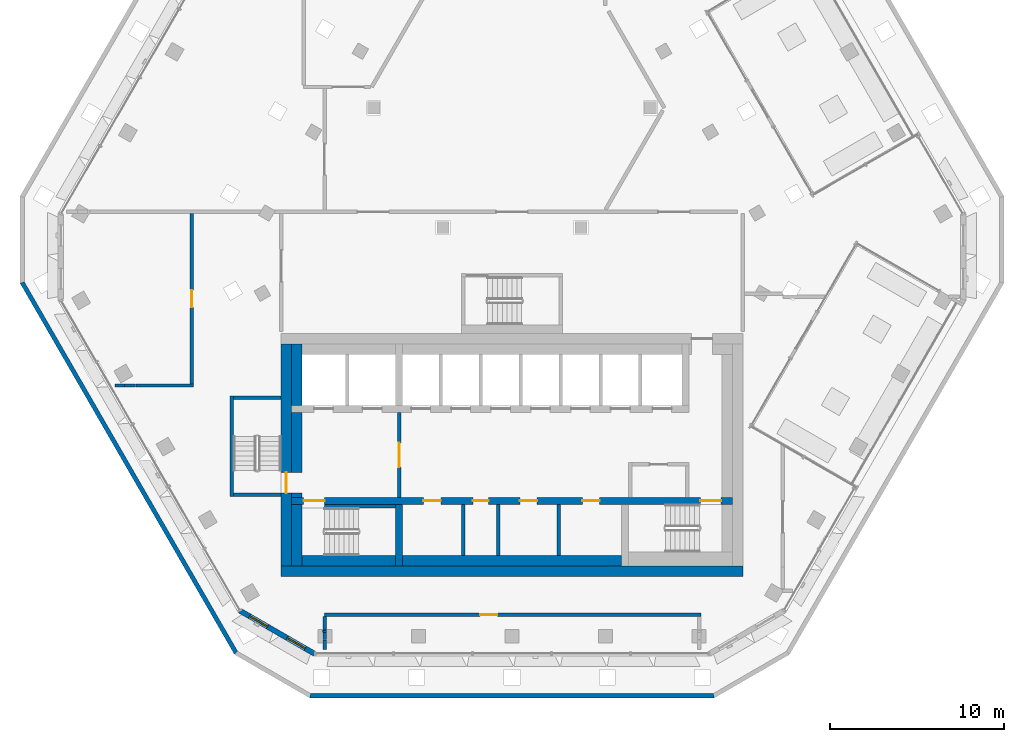
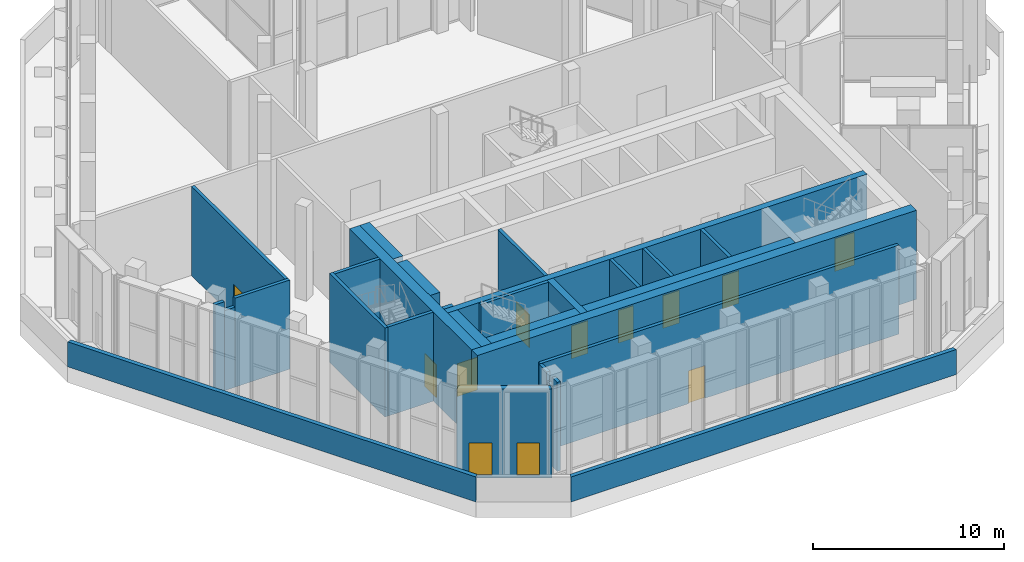
# One storey, part 8 of 23: 30 walls, 10 doors, 2 windows, 12 openings.
"""IFC4 building model written with IfcOpenShell, lengths in metres."""

from ifc_helpers import new_model, si_unit, direction, frame, frame_2d, origin, place, context, subcontext, project, spatial, polyline, rectangle, outline, extrude, material, layer, layer_set, type_object, element, fill, save


model = new_model("IFC4")

# Units and contexts
model_context = context("Model", 3, precision=1e-05, world=origin(), true_north=direction((0.0, 1.0)))
body_context = subcontext(model_context, "Body", "Model", "MODEL_VIEW")
ifc_project = project(units=[si_unit("LENGTHUNIT", "METRE"), si_unit("AREAUNIT", "SQUARE_METRE"), si_unit("VOLUMEUNIT", "CUBIC_METRE"), si_unit("PLANEANGLEUNIT", "RADIAN"), si_unit("MASSUNIT", "GRAM", prefix="KILO")], contexts=[model_context])

# Site, building, storey
site_placement = place(None, origin())
site = spatial("IfcSite", under=ifc_project, at=site_placement, CompositionType="ELEMENT")
building_placement = place(site_placement, origin())
building = spatial("IfcBuilding", under=site, at=building_placement, Name="Beryl Residences", CompositionType="ELEMENT")
storey_placement = place(building_placement, frame((0.0, 0.0, 157.199951171875)))
storey = spatial("IfcBuildingStorey", under=building, at=storey_placement, Name="L48", CompositionType="ELEMENT", Elevation=157.199951171875)

# Wall, openings, windows
ifc_material_1 = material(Name="Composite metal panel with mineral wool insulation")
ifc_layer_1 = layer(ifc_material_1, 0.300048828125)
ifc_layer_set_1 = layer_set([ifc_layer_1], Name="ES1 pale metal composite panel wall 300 mm")
wall_type_1 = type_object("IfcWallType", Name="ES1 pale metal composite panel wall 300 mm", PredefinedType="SOLIDWALL", material=ifc_layer_set_1)
wall_1_placement = place(storey_placement, frame((-15.68603515625, -20.969970703125, 0.0), z_axis=(0.0, 0.0, 1.0), x_axis=(0.866022959057, -0.500004234368, 0.0)))
wall_1 = element("IfcWall", 1, at=wall_1_placement, inside=storey, type_object=wall_type_1, Name="ES1 external wall L48 SW-S", PredefinedType="SOLIDWALL", context=body_context, shape_type="SweptSolid", body=[
    extrude(outline(polyline([(0.0, -0.14990234375), (5.0, -0.14990234375), (4.919677734375, 0.14990234375), (0.080322265625, 0.14990234375), (0.0, -0.14990234375)])), origin(), (0.0, 0.0, 1.0), 5.699951171875),
])
opening_1_placement = place(wall_1_placement, frame((0.64990234375, 0.0, 0.14990234375)))
opening_1 = element("IfcOpeningElement", 2, at=opening_1_placement, cuts=wall_1, Name="Opening W2", PredefinedType="OPENING", context=body_context, shape_type="SweptSolid", body=[
    extrude(rectangle(XDim=1.199951171875, YDim=2.10009765625, at=frame_2d((0.60009765625, 1.050048828125))), frame((0.0, 0.159912109375, 0.0), z_axis=(0.0, -1.0, 0.0), x_axis=(1.0, 0.0, 0.0)), (0.0, 0.0, 1.0), 0.320068359375),
])
opening_2_placement = place(wall_1_placement, frame((3.14990234375, 0.0, 0.14990234375)))
opening_2 = element("IfcOpeningElement", 3, at=opening_2_placement, cuts=wall_1, Name="Opening W2", PredefinedType="OPENING", context=body_context, shape_type="SweptSolid", body=[
    extrude(rectangle(XDim=1.199951171875, YDim=2.10009765625, at=frame_2d((0.60009765625, 1.050048828125))), frame((0.0, 0.159912109375, 0.0), z_axis=(0.0, -1.0, 0.0), x_axis=(1.0, 0.0, 0.0)), (0.0, 0.0, 1.0), 0.320068359375),
])
ifc_material_2 = material(Name="Aluminium and clear glass", Category="aluminium")
window_type = type_object("IfcWindowType", Name="W2 chamfer window 1200 x 2100 mm", PartitioningType="SINGLE_PANEL", PredefinedType="WINDOW", material=ifc_material_2)
window_1_placement = place(opening_1_placement, origin())
window_1 = element("IfcWindow", 4, at=window_1_placement, inside=storey, type_object=window_type, Name="W2 window L48 SW-S 1", OverallHeight=2.10009765625, OverallWidth=1.199951171875, PartitioningType="SINGLE_PANEL", PredefinedType="WINDOW", context=body_context, shape_type="SweptSolid", body=[
    extrude(rectangle(XDim=1.199951171875, YDim=2.10009765625, at=frame_2d((0.60009765625, 1.050048828125))), frame((0.0, 0.030029296875, 0.0), z_axis=(0.0, -1.0, 0.0), x_axis=(1.0, 0.0, 0.0)), (0.0, 0.0, 1.0), 0.06005859375),
])
fill(opening_1, window_1)
window_2_placement = place(opening_2_placement, origin())
window_2 = element("IfcWindow", 5, at=window_2_placement, inside=storey, type_object=window_type, Name="W2 window L48 SW-S 2", OverallHeight=2.10009765625, OverallWidth=1.199951171875, PartitioningType="SINGLE_PANEL", PredefinedType="WINDOW", context=body_context, shape_type="SweptSolid", body=[
    extrude(rectangle(XDim=1.199951171875, YDim=2.10009765625, at=frame_2d((0.60009765625, 1.050048828125))), frame((0.0, 0.030029296875, 0.0), z_axis=(0.0, -1.0, 0.0), x_axis=(1.0, 0.0, 0.0)), (0.0, 0.0, 1.0), 0.06005859375),
])
fill(opening_2, window_2)

# Walls
ifc_material_3 = material(Name="Precast concrete C40/50", Category="concrete")
ifc_layer_2 = layer(ifc_material_3, 0.25)
ifc_layer_set_2 = layer_set([ifc_layer_2], Name="PA1 roof parapet 250 mm")
wall_type_2 = type_object("IfcWallType", Name="PA1 roof parapet 250 mm", PredefinedType="PARAPET", material=ifc_layer_set_2)
wall_2_placement = place(storey_placement, frame((11.6630859375, -25.875, 0.0), z_axis=(0.0, 0.0, 1.0), x_axis=(-1.0, 0.0, 0.0)))
element("IfcWall", 6, at=wall_2_placement, inside=storey, type_object=wall_type_2, Name="PA1 parapet L48 strip 6", PredefinedType="PARAPET", context=body_context, shape_type="SweptSolid", body=[
    extrude(outline(polyline([(0.06689453125, -0.125), (23.25927734375, -0.125), (23.326171875, 0.125), (0.0, 0.125), (0.06689453125, -0.125)])), origin(), (0.0, 0.0, 1.0), 1.60009765625),
])
wall_3_placement = place(storey_placement, frame((-15.883056640625, -23.43701171875, 0.0), z_axis=(0.0, 0.0, 1.0), x_axis=(-0.500068533128, 0.865985832549, 0.0)))
element("IfcWall", 7, at=wall_3_placement, inside=storey, type_object=wall_type_2, Name="PA1 parapet L48 strip 8", PredefinedType="PARAPET", context=body_context, shape_type="SweptSolid", body=[
    extrude(outline(polyline([(0.06689453125, -0.125), (24.6435546875, -0.125), (24.71044921875, 0.125), (0.0, 0.125), (0.06689453125, -0.125)])), origin(), (0.0, 0.0, 1.0), 1.60009765625),
])

# Wall, opening, door
ifc_material_4 = material(Name="Concrete masonry", Category="masonry")
ifc_layer_3 = layer(ifc_material_4, 0.199951171875)
ifc_layer_set_3 = layer_set([ifc_layer_3], Name="PT13 lobby wall 200 mm")
wall_type_3 = type_object("IfcWallType", Name="PT13 lobby wall 200 mm", PredefinedType="PARTITIONING", material=ifc_layer_set_3)
wall_4_placement = place(storey_placement, frame((-6.5, -14.449951171875, 0.0), z_axis=(0.0, 0.0, 1.0), x_axis=(0.0, 1.0, 0.0)))
wall_4 = element("IfcWall", 8, at=wall_4_placement, inside=storey, type_object=wall_type_3, Name="Lobby wall 12", PredefinedType="PARTITIONING", context=body_context, shape_type="SweptSolid", body=[
    extrude(rectangle(XDim=4.89990234375, YDim=0.199951171875, at=frame_2d((2.449951171875, 0.0))), origin(), (0.0, 0.0, 1.0), 5.699951171875),
])
opening_3_placement = place(wall_4_placement, frame((3.14990234375, 0.0, 0.0), z_axis=(0.0, 0.0, 1.0), x_axis=(-1.0, 0.0, 0.0)))
opening_3 = element("IfcOpeningElement", 9, at=opening_3_placement, cuts=wall_4, Name="Opening FD-FFL", PredefinedType="OPENING", context=body_context, shape_type="SweptSolid", body=[
    extrude(rectangle(XDim=1.39990234375, YDim=2.10009765625, at=frame_2d((0.699951171875, 1.050048828125))), frame((0.0, 0.10986328125, 0.0), z_axis=(0.0, -1.0, 0.0), x_axis=(1.0, 0.0, 0.0)), (0.0, 0.0, 1.0), 0.219970703125),
])
ifc_material_5 = material(Name="Steel door leaf in steel frame", Category="steel")
door_type_1 = type_object("IfcDoorType", Name="D5 lobby door 1400 x 2100 mm", OperationType="DOUBLE_DOOR_SINGLE_SWING", PredefinedType="DOOR", material=ifc_material_5)
door_1_placement = place(opening_3_placement, origin())
door_1 = element("IfcDoor", 10, at=door_1_placement, inside=storey, type_object=door_type_1, Name="Door FD-FFL L48 001", OperationType="DOUBLE_DOOR_SINGLE_SWING", OverallHeight=2.10009765625, OverallWidth=1.39990234375, PredefinedType="DOOR", context=body_context, shape_type="SweptSolid", body=[
    extrude(rectangle(XDim=1.39990234375, YDim=2.10009765625, at=frame_2d((0.699951171875, 1.050048828125))), frame((0.0, 0.02490234375, 0.0), z_axis=(0.0, -1.0, 0.0), x_axis=(1.0, 0.0, 0.0)), (0.0, 0.0, 1.0), 0.050048828125),
])
fill(opening_3, door_1)

# Walls
ifc_material_6 = material(Name="Concrete masonry", Category="masonry")
ifc_layer_4 = layer(ifc_material_6, 0.25)
ifc_layer_set_4 = layer_set([ifc_layer_4], Name="PT13-250 lobby wall 250 mm")
wall_type_4 = type_object("IfcWallType", Name="PT13-250 lobby wall 250 mm", PredefinedType="PARTITIONING", material=ifc_layer_set_4)
wall_5_placement = place(storey_placement, frame((-12.699951171875, -14.324951171875, 0.0), z_axis=(0.0, 0.0, 1.0), x_axis=(1.0, 0.0, 0.0)))
element("IfcWall", 11, at=wall_5_placement, inside=storey, type_object=wall_type_4, Name="Lobby wall 05", PredefinedType="PARTITIONING", context=body_context, shape_type="SweptSolid", body=[
    extrude(rectangle(XDim=0.599853515625, YDim=0.25, at=frame_2d((0.2998046875, 0.0))), origin(), (0.0, 0.0, 1.0), 5.699951171875),
])
ifc_material_7 = material(Name="Concrete masonry", Category="masonry")
ifc_layer_5 = layer(ifc_material_7, 0.60009765625)
ifc_layer_set_5 = layer_set([ifc_layer_5], Name="PT13-600 lobby wall 600 mm")
wall_type_5 = type_object("IfcWallType", Name="PT13-600 lobby wall 600 mm", PredefinedType="PARTITIONING", material=ifc_layer_set_5)
wall_6_placement = place(storey_placement, frame((-12.39990234375, -13.0, 0.0), z_axis=(0.0, 0.0, 1.0), x_axis=(0.0, 1.0, 0.0)))
element("IfcWall", 12, at=wall_6_placement, inside=storey, type_object=wall_type_5, Name="Lobby wall 06", PredefinedType="PARTITIONING", context=body_context, shape_type="SweptSolid", body=[
    extrude(rectangle(XDim=3.449951171875, YDim=0.60009765625, at=frame_2d((1.72509765625, 0.0))), origin(), (0.0, 0.0, 1.0), 5.699951171875),
])

# Wall, opening, door
ifc_material_8 = material(Name="Double stud gypsum board wall")
ifc_layer_6 = layer(ifc_material_8, 0.199951171875)
ifc_layer_set_6 = layer_set([ifc_layer_6], Name="PT4 corridor wall 200 mm double stud")
wall_type_6 = type_object("IfcWallType", Name="PT4 corridor wall 200 mm double stud", PredefinedType="PARTITIONING", material=ifc_layer_set_6)
wall_7_placement = place(storey_placement, frame((-10.800048828125, -21.199951171875, 0.0), z_axis=(0.0, 0.0, 1.0), x_axis=(1.0, 0.0, 0.0)))
wall_7 = element("IfcWall", 13, at=wall_7_placement, inside=storey, type_object=wall_type_6, Name="Wall PT4 L48 001", PredefinedType="PARTITIONING", context=body_context, shape_type="SweptSolid", body=[
    extrude(rectangle(XDim=21.699951171875, YDim=0.199951171875, at=frame_2d((10.85009765625, 0.0))), origin(), (0.0, 0.0, 1.0), 5.699951171875),
])
opening_4_placement = place(wall_7_placement, frame((9.958984375, 0.0, 0.0), z_axis=(0.0, 0.0, 1.0), x_axis=(-1.0, 0.0, 0.0)))
opening_4 = element("IfcOpeningElement", 14, at=opening_4_placement, cuts=wall_7, Name="Opening L48-04", PredefinedType="OPENING", context=body_context, shape_type="SweptSolid", body=[
    extrude(rectangle(XDim=1.0, YDim=2.10009765625, at=frame_2d((0.5, 1.050048828125))), frame((0.0, 0.10986328125, 0.0), z_axis=(0.0, -1.0, 0.0), x_axis=(1.0, 0.0, 0.0)), (0.0, 0.0, 1.0), 0.219970703125),
])
ifc_material_9 = material(Name="Timber door leaf", Category="wood")
door_type_2 = type_object("IfcDoorType", Name="D9 corridor door 1000 x 2100 mm", OperationType="SINGLE_SWING_LEFT", PredefinedType="DOOR", material=ifc_material_9)
door_2_placement = place(opening_4_placement, origin())
door_2 = element("IfcDoor", 15, at=door_2_placement, inside=storey, type_object=door_type_2, Name="Door L48-04 L48 001", OperationType="SINGLE_SWING_LEFT", OverallHeight=2.10009765625, OverallWidth=1.0, PredefinedType="DOOR", context=body_context, shape_type="SweptSolid", body=[
    extrude(rectangle(XDim=1.0, YDim=2.10009765625, at=frame_2d((0.5, 1.050048828125))), frame((0.0, 0.02490234375, 0.0), z_axis=(0.0, -1.0, 0.0), x_axis=(1.0, 0.0, 0.0)), (0.0, 0.0, 1.0), 0.050048828125),
])
fill(opening_4, door_2)

# Walls
wall_8_placement = place(storey_placement, frame((-22.885986328125, -8.0, 0.0), z_axis=(0.0, 0.0, 1.0), x_axis=(1.0, 0.0, 0.0)))
element("IfcWall", 16, at=wall_8_placement, inside=storey, type_object=wall_type_6, Name="Wall PT4 L48 003", PredefinedType="PARTITIONING", context=body_context, shape_type="SweptSolid", body=[
    extrude(rectangle(XDim=0.572021484375, YDim=0.199951171875, at=frame_2d((0.2861328125, 0.0))), origin(), (0.0, 0.0, 1.0), 5.699951171875),
])
wall_9_placement = place(storey_placement, frame((-22.31396484375, -8.0, 0.0), z_axis=(0.0, 0.0, 1.0), x_axis=(1.0, 0.0, 0.0)))
element("IfcWall", 17, at=wall_9_placement, inside=storey, type_object=wall_type_6, Name="Wall PT4 L48 004", PredefinedType="PARTITIONING", context=body_context, shape_type="SweptSolid", body=[
    extrude(rectangle(XDim=0.635009765625, YDim=0.199951171875, at=frame_2d((0.3173828125, 0.0))), origin(), (0.0, 0.0, 1.0), 5.1201171875),
])
wall_10_placement = place(storey_placement, frame((-21.678955078125, -8.0, 0.0), z_axis=(0.0, 0.0, 1.0), x_axis=(1.0, 0.0, 0.0)))
element("IfcWall", 18, at=wall_10_placement, inside=storey, type_object=wall_type_6, Name="Wall PT4 L48 005", PredefinedType="PARTITIONING", context=body_context, shape_type="SweptSolid", body=[
    extrude(rectangle(XDim=3.328857421875, YDim=0.199951171875, at=frame_2d((1.66455078125, 0.0))), origin(), (0.0, 0.0, 1.0), 5.699951171875),
])

# Wall, opening, door
wall_11_placement = place(storey_placement, frame((-18.449951171875, -7.89990234375, 0.0), z_axis=(0.0, 0.0, 1.0), x_axis=(0.0, 1.0, 0.0)))
wall_11 = element("IfcWall", 19, at=wall_11_placement, inside=storey, type_object=wall_type_6, Name="Wall PT4 L48 017", PredefinedType="PARTITIONING", context=body_context, shape_type="SweptSolid", body=[
    extrude(rectangle(XDim=9.7998046875, YDim=0.199951171875, at=frame_2d((4.89990234375, 0.0))), origin(), (0.0, 0.0, 1.0), 5.699951171875),
])
opening_5_placement = place(wall_11_placement, frame((4.39990234375, 0.0, 0.0)))
opening_5 = element("IfcOpeningElement", 20, at=opening_5_placement, cuts=wall_11, Name="Opening L48-05", PredefinedType="OPENING", context=body_context, shape_type="SweptSolid", body=[
    extrude(rectangle(XDim=1.0, YDim=2.10009765625, at=frame_2d((0.5, 1.050048828125))), frame((0.0, 0.10986328125, 0.0), z_axis=(0.0, -1.0, 0.0), x_axis=(1.0, 0.0, 0.0)), (0.0, 0.0, 1.0), 0.219970703125),
])
door_3_placement = place(opening_5_placement, origin())
door_3 = element("IfcDoor", 21, at=door_3_placement, inside=storey, type_object=door_type_2, Name="Door L48-05 L48 001", OperationType="SINGLE_SWING_LEFT", OverallHeight=2.10009765625, OverallWidth=1.0, PredefinedType="DOOR", context=body_context, shape_type="SweptSolid", body=[
    extrude(rectangle(XDim=1.0, YDim=2.10009765625, at=frame_2d((0.5, 1.050048828125))), frame((0.0, 0.02490234375, 0.0), z_axis=(0.0, -1.0, 0.0), x_axis=(1.0, 0.0, 0.0)), (0.0, 0.0, 1.0), 0.050048828125),
])
fill(opening_5, door_3)

# Walls
wall_12_placement = place(storey_placement, frame((-10.800048828125, -23.219970703125, 0.0), z_axis=(0.0, 0.0, 1.0), x_axis=(0.0, 1.0, 0.0)))
element("IfcWall", 22, at=wall_12_placement, inside=storey, type_object=wall_type_6, Name="Wall PT4 L48 022", PredefinedType="PARTITIONING", context=body_context, shape_type="SweptSolid", body=[
    extrude(rectangle(XDim=0.544921875, YDim=0.199951171875, at=frame_2d((0.2724609375, 0.0))), origin(), (0.0, 0.0, 1.0), 5.699951171875),
])
wall_13_placement = place(storey_placement, frame((-10.800048828125, -22.64501953125, 0.0), z_axis=(0.0, 0.0, 1.0), x_axis=(0.0, 1.0, 0.0)))
element("IfcWall", 23, at=wall_13_placement, inside=storey, type_object=wall_type_6, Name="Wall PT4 L48 023", PredefinedType="PARTITIONING", context=body_context, shape_type="SweptSolid", body=[
    extrude(rectangle(XDim=0.419921875, YDim=0.199951171875, at=frame_2d((0.2099609375, 0.0))), origin(), (0.0, 0.0, 1.0), 5.1201171875),
])
wall_14_placement = place(storey_placement, frame((-10.800048828125, -22.22509765625, 0.0), z_axis=(0.0, 0.0, 1.0), x_axis=(0.0, 1.0, 0.0)))
element("IfcWall", 24, at=wall_14_placement, inside=storey, type_object=wall_type_6, Name="Wall PT4 L48 024", PredefinedType="PARTITIONING", context=body_context, shape_type="SweptSolid", body=[
    extrude(rectangle(XDim=0.112060546875, YDim=0.199951171875, at=frame_2d((0.05615234375, 0.0))), origin(), (0.0, 0.0, 1.0), 5.1201171875),
])
wall_15_placement = place(storey_placement, frame((-10.800048828125, -22.113037109375, 0.0), z_axis=(0.0, 0.0, 1.0), x_axis=(0.0, 1.0, 0.0)))
element("IfcWall", 25, at=wall_15_placement, inside=storey, type_object=wall_type_6, Name="Wall PT4 L48 025", PredefinedType="PARTITIONING", context=body_context, shape_type="SweptSolid", body=[
    extrude(rectangle(XDim=0.81298828125, YDim=0.199951171875, at=frame_2d((0.406494140625, 0.0))), origin(), (0.0, 0.0, 1.0), 5.699951171875),
])
ifc_material_10 = material(Name="Concrete C40/50", Category="concrete")
ifc_layer_7 = layer(ifc_material_10, 0.199951171875)
ifc_layer_set_7 = layer_set([ifc_layer_7], Name="PT5 stair enclosure wall 200 mm reinforced concrete C40/50")
wall_type_7 = type_object("IfcWallType", Name="PT5 stair enclosure wall 200 mm reinforced concrete C40/50", PredefinedType="SOLIDWALL", material=ifc_layer_set_7)
wall_16_placement = place(storey_placement, frame((-16.14990234375, -14.39990234375, 0.0), z_axis=(0.0, 0.0, 1.0), x_axis=(0.0, 1.0, 0.0)))
element("IfcWall", 26, at=wall_16_placement, inside=storey, type_object=wall_type_7, Name="Stair wall 01", PredefinedType="SOLIDWALL", context=body_context, shape_type="SweptSolid", body=[
    extrude(rectangle(XDim=5.7998046875, YDim=0.199951171875, at=frame_2d((2.89990234375, 0.0))), origin(), (0.0, 0.0, 1.0), 5.699951171875),
])
for number, where, z_axis, x_axis, name in (
    (27, (-16.050048828125, -14.300048828125, 0.0), (0.0, 0.0, 1.0), (1.0, 0.0, 0.0), "Stair wall 02"),
    (28, (-16.050048828125, -8.699951171875, 0.0), (0.0, 0.0, 1.0), (1.0, 0.0, 0.0), "Stair wall 03"),
):
    element("IfcWall", number, at=place(storey_placement, frame(where, z_axis=z_axis, x_axis=x_axis)), inside=storey, type_object=wall_type_7, Name=name, PredefinedType="SOLIDWALL", context=body_context, shape_type="SweptSolid", body=[
        extrude(rectangle(XDim=2.75, YDim=0.199951171875, at=frame_2d((1.375, 0.0))), origin(), (0.0, 0.0, 1.0), 5.699951171875),
    ])
wall_17_placement = place(storey_placement, frame((-10.800048828125, -14.949951171875, 0.0), z_axis=(0.0, 0.0, 1.0), x_axis=(1.0, 0.0, 0.0)))
element("IfcWall", 29, at=wall_17_placement, inside=storey, type_object=wall_type_7, Name="Stair wall 10", PredefinedType="SOLIDWALL", context=body_context, shape_type="SweptSolid", body=[
    extrude(rectangle(XDim=4.10009765625, YDim=0.199951171875, at=frame_2d((2.050048828125, 0.0))), origin(), (0.0, 0.0, 1.0), 5.699951171875),
])
ifc_material_11 = material(Name="Concrete C40/50", Category="concrete")
ifc_layer_8 = layer(ifc_material_11, 0.60009765625)
ifc_layer_set_8 = layer_set([ifc_layer_8], Name="PT5-600 stair enclosure wall 600 mm")
wall_type_8 = type_object("IfcWallType", Name="PT5-600 stair enclosure wall 600 mm", PredefinedType="SOLIDWALL", material=ifc_layer_set_8)
wall_18_placement = place(storey_placement, frame((-12.39990234375, -18.39990234375, 0.0), z_axis=(0.0, 0.0, 1.0), x_axis=(0.0, 1.0, 0.0)))
element("IfcWall", 30, at=wall_18_placement, inside=storey, type_object=wall_type_8, Name="Stair wall 04", PredefinedType="SOLIDWALL", context=body_context, shape_type="SweptSolid", body=[
    extrude(rectangle(XDim=3.5498046875, YDim=0.60009765625, at=frame_2d((1.77490234375, 0.0))), origin(), (0.0, 0.0, 1.0), 5.699951171875),
])
wall_19_placement = place(storey_placement, frame((-12.10009765625, -18.10009765625, 0.0), z_axis=(0.0, 0.0, 1.0), x_axis=(1.0, 0.0, 0.0)))
element("IfcWall", 31, at=wall_19_placement, inside=storey, type_object=wall_type_8, Name="Stair wall 08", PredefinedType="SOLIDWALL", context=body_context, shape_type="SweptSolid", body=[
    extrude(rectangle(XDim=5.400146484375, YDim=0.60009765625, at=frame_2d((2.7001953125, 0.0))), origin(), (0.0, 0.0, 1.0), 5.699951171875),
])
ifc_material_12 = material(Name="Concrete C40/50", Category="concrete")
ifc_layer_9 = layer(ifc_material_12, 0.60009765625)
ifc_layer_set_9 = layer_set([ifc_layer_9], Name="PT6-600 lift shaft wall 600 mm")
wall_type_9 = type_object("IfcWallType", Name="PT6-600 lift shaft wall 600 mm", PredefinedType="SOLIDWALL", material=ifc_layer_set_9)
wall_20_placement = place(storey_placement, frame((-12.39990234375, -9.14990234375, 0.0), z_axis=(0.0, 0.0, 1.0), x_axis=(0.0, 1.0, 0.0)))
element("IfcWall", 32, at=wall_20_placement, inside=storey, type_object=wall_type_9, Name="Lift shaft wall 07", PredefinedType="SOLIDWALL", context=body_context, shape_type="SweptSolid", body=[
    extrude(rectangle(XDim=3.5498046875, YDim=0.60009765625, at=frame_2d((1.77490234375, 0.0))), origin(), (0.0, 0.0, 1.0), 5.699951171875),
])
ifc_material_13 = material(Name="Concrete masonry", Category="masonry")
ifc_layer_10 = layer(ifc_material_13, 0.199951171875)
ifc_layer_set_10 = layer_set([ifc_layer_10], Name="PT8-200 service room wall 200 mm")
wall_type_10 = type_object("IfcWallType", Name="PT8-200 service room wall 200 mm", PredefinedType="PARTITIONING", material=ifc_layer_set_10)
for number, where, z_axis, x_axis, name in (
    (33, (-2.800048828125, -17.800048828125, 0.0), (0.0, 0.0, 1.0), (0.0, 1.0, 0.0), "Core room wall 16"),
    (34, (-0.800048828125, -17.800048828125, 0.0), (0.0, 0.0, 1.0), (0.0, 1.0, 0.0), "Core room wall 18"),
    (35, (2.699951171875, -17.800048828125, 0.0), (0.0, 0.0, 1.0), (0.0, 1.0, 0.0), "Core room wall 20"),
):
    element("IfcWall", number, at=place(storey_placement, frame(where, z_axis=z_axis, x_axis=x_axis)), inside=storey, type_object=wall_type_10, Name=name, PredefinedType="PARTITIONING", context=body_context, shape_type="SweptSolid", body=[
        extrude(rectangle(XDim=2.949951171875, YDim=0.199951171875, at=frame_2d((1.47509765625, 0.0))), origin(), (0.0, 0.0, 1.0), 5.699951171875),
    ])
ifc_material_14 = material(Name="Concrete masonry", Category="masonry")
ifc_layer_11 = layer(ifc_material_14, 0.60009765625)
ifc_layer_set_11 = layer_set([ifc_layer_11], Name="PT8-600 service room wall 600 mm")
wall_type_11 = type_object("IfcWallType", Name="PT8-600 service room wall 600 mm", PredefinedType="PARTITIONING", material=ifc_layer_set_11)
wall_21_placement = place(storey_placement, frame((-6.300048828125, -18.10009765625, 0.0), z_axis=(0.0, 0.0, 1.0), x_axis=(1.0, 0.0, 0.0)))
element("IfcWall", 36, at=wall_21_placement, inside=storey, type_object=wall_type_11, Name="Core room wall 13", PredefinedType="PARTITIONING", context=body_context, shape_type="SweptSolid", body=[
    extrude(rectangle(XDim=12.60009765625, YDim=0.60009765625, at=frame_2d((6.300048828125, 0.0))), origin(), (0.0, 0.0, 1.0), 5.699951171875),
])
ifc_material_15 = material(Name="Concrete C50/60", Category="concrete")
ifc_layer_12 = layer(ifc_material_15, 0.60009765625)
ifc_layer_set_12 = layer_set([ifc_layer_12], Name="SW4 core outer wall 600 mm C50/60")
wall_type_12 = type_object("IfcWallType", Name="SW4 core outer wall 600 mm C50/60", PredefinedType="SHEAR", material=ifc_layer_set_12)
wall_22_placement = place(storey_placement, frame((-13.300048828125, -18.699951171875, 0.0), z_axis=(0.0, 0.0, 1.0), x_axis=(1.0, 0.0, 0.0)))
element("IfcWall", 37, at=wall_22_placement, inside=storey, type_object=wall_type_12, Name="Core wall S L48", PredefinedType="SHEAR", context=body_context, shape_type="SweptSolid", body=[
    extrude(rectangle(XDim=26.60009765625, YDim=0.60009765625, at=frame_2d((13.300048828125, 0.0))), origin(), (0.0, 0.0, 1.0), 5.699951171875),
])

# Wall, opening, door
wall_23_placement = place(storey_placement, frame((-13.0, -18.39990234375, 0.0), z_axis=(0.0, 0.0, 1.0), x_axis=(0.0, 1.0, 0.0)))
wall_23 = element("IfcWall", 38, at=wall_23_placement, inside=storey, type_object=wall_type_12, Name="Core wall W L48", PredefinedType="SHEAR", context=body_context, shape_type="SweptSolid", body=[
    extrude(rectangle(XDim=12.7998046875, YDim=0.60009765625, at=frame_2d((6.39990234375, 0.0))), origin(), (0.0, 0.0, 1.0), 5.699951171875),
])
opening_6_placement = place(wall_23_placement, frame((4.199951171875, 0.0, 0.0)))
opening_6 = element("IfcOpeningElement", 39, at=opening_6_placement, cuts=wall_23, Name="Opening SD-2", PredefinedType="OPENING", context=body_context, shape_type="SweptSolid", body=[
    extrude(rectangle(XDim=1.199951171875, YDim=2.10009765625, at=frame_2d((0.60009765625, 1.050048828125))), frame((0.0, 0.31005859375, 0.0), z_axis=(0.0, -1.0, 0.0), x_axis=(1.0, 0.0, 0.0)), (0.0, 0.0, 1.0), 0.6201171875),
])
ifc_material_16 = material(Name="Steel door leaf in steel frame", Category="steel")
door_type_3 = type_object("IfcDoorType", Name="D4 stair door 1200 x 2100 mm", OperationType="SINGLE_SWING_LEFT", PredefinedType="DOOR", material=ifc_material_16)
door_4_placement = place(opening_6_placement, origin())
door_4 = element("IfcDoor", 40, at=door_4_placement, inside=storey, type_object=door_type_3, Name="Door SD-2 L48 001", OperationType="SINGLE_SWING_RIGHT", OverallHeight=2.10009765625, OverallWidth=1.199951171875, PredefinedType="DOOR", context=body_context, shape_type="SweptSolid", body=[
    extrude(rectangle(XDim=1.199951171875, YDim=2.10009765625, at=frame_2d((0.60009765625, 1.050048828125))), frame((0.0, 0.02490234375, 0.0), z_axis=(0.0, -1.0, 0.0), x_axis=(1.0, 0.0, 0.0)), (0.0, 0.0, 1.0), 0.050048828125),
])
fill(opening_6, door_4)

# Wall, openings, doors
ifc_material_17 = material(Name="Concrete C50/60", Category="concrete")
ifc_layer_13 = layer(ifc_material_17, 0.39990234375)
ifc_layer_set_13 = layer_set([ifc_layer_13], Name="SW9 core internal wall 400 mm C50/60")
wall_type_13 = type_object("IfcWallType", Name="SW9 core internal wall 400 mm C50/60", PredefinedType="SHEAR", material=ifc_layer_set_13)
wall_24_placement = place(storey_placement, frame((-12.699951171875, -14.64990234375, 0.0), z_axis=(0.0, 0.0, 1.0), x_axis=(1.0, 0.0, 0.0)))
wall_24 = element("IfcWall", 41, at=wall_24_placement, inside=storey, type_object=wall_type_13, Name="Core wall SP1 L48", PredefinedType="SHEAR", context=body_context, shape_type="SweptSolid", body=[
    extrude(rectangle(XDim=25.39990234375, YDim=0.39990234375, at=frame_2d((12.699951171875, 0.0))), origin(), (0.0, 0.0, 1.0), 5.699951171875),
])
opening_7_placement = place(wall_24_placement, frame((1.89990234375, 0.0, 0.0), z_axis=(0.0, 0.0, 1.0), x_axis=(-1.0, 0.0, 0.0)))
opening_7 = element("IfcOpeningElement", 42, at=opening_7_placement, cuts=wall_24, Name="Opening SD-1", PredefinedType="OPENING", context=body_context, shape_type="SweptSolid", body=[
    extrude(rectangle(XDim=1.199951171875, YDim=2.10009765625, at=frame_2d((0.60009765625, 1.050048828125))), frame((0.0, 0.2099609375, 0.0), z_axis=(0.0, -1.0, 0.0), x_axis=(1.0, 0.0, 0.0)), (0.0, 0.0, 1.0), 0.419921875),
])
opening_8_placement = place(wall_24_placement, frame((24.75, 0.0, 0.0), z_axis=(0.0, 0.0, 1.0), x_axis=(-1.0, 0.0, 0.0)))
opening_8 = element("IfcOpeningElement", 43, at=opening_8_placement, cuts=wall_24, Name="Opening SD-3", PredefinedType="OPENING", context=body_context, shape_type="SweptSolid", body=[
    extrude(rectangle(XDim=1.199951171875, YDim=2.10009765625, at=frame_2d((0.60009765625, 1.050048828125))), frame((0.0, 0.2099609375, 0.0), z_axis=(0.0, -1.0, 0.0), x_axis=(1.0, 0.0, 0.0)), (0.0, 0.0, 1.0), 0.419921875),
])
opening_9_placement = place(wall_24_placement, frame((8.60009765625, 0.0, 0.0), z_axis=(0.0, 0.0, 1.0), x_axis=(-1.0, 0.0, 0.0)))
opening_9 = element("IfcOpeningElement", 44, at=opening_9_placement, cuts=wall_24, Name="Opening CD-D-S1", PredefinedType="OPENING", context=body_context, shape_type="SweptSolid", body=[
    extrude(rectangle(XDim=1.0, YDim=2.10009765625, at=frame_2d((0.5, 1.050048828125))), frame((0.0, 0.2099609375, 0.0), z_axis=(0.0, -1.0, 0.0), x_axis=(1.0, 0.0, 0.0)), (0.0, 0.0, 1.0), 0.419921875),
])
opening_10_placement = place(wall_24_placement, frame((11.349853515625, 0.0, 0.0), z_axis=(0.0, 0.0, 1.0), x_axis=(-1.0, 0.0, 0.0)))
opening_10 = element("IfcOpeningElement", 45, at=opening_10_placement, cuts=wall_24, Name="Opening CD-D-S2-900", PredefinedType="OPENING", context=body_context, shape_type="SweptSolid", body=[
    extrude(rectangle(XDim=0.89990234375, YDim=2.10009765625, at=frame_2d((0.449951171875, 1.050048828125))), frame((0.0, 0.2099609375, 0.0), z_axis=(0.0, -1.0, 0.0), x_axis=(1.0, 0.0, 0.0)), (0.0, 0.0, 1.0), 0.419921875),
])
opening_11_placement = place(wall_24_placement, frame((14.14990234375, 0.0, 0.0), z_axis=(0.0, 0.0, 1.0), x_axis=(-1.0, 0.0, 0.0)))
opening_11 = element("IfcOpeningElement", 46, at=opening_11_placement, cuts=wall_24, Name="Opening CD-D-S3", PredefinedType="OPENING", context=body_context, shape_type="SweptSolid", body=[
    extrude(rectangle(XDim=1.0, YDim=2.10009765625, at=frame_2d((0.5, 1.050048828125))), frame((0.0, 0.2099609375, 0.0), z_axis=(0.0, -1.0, 0.0), x_axis=(1.0, 0.0, 0.0)), (0.0, 0.0, 1.0), 0.419921875),
])
opening_12_placement = place(wall_24_placement, frame((17.75, 0.0, 0.0), z_axis=(0.0, 0.0, 1.0), x_axis=(-1.0, 0.0, 0.0)))
opening_12 = element("IfcOpeningElement", 47, at=opening_12_placement, cuts=wall_24, Name="Opening CD-D-S4", PredefinedType="OPENING", context=body_context, shape_type="SweptSolid", body=[
    extrude(rectangle(XDim=1.0, YDim=2.10009765625, at=frame_2d((0.5, 1.050048828125))), frame((0.0, 0.2099609375, 0.0), z_axis=(0.0, -1.0, 0.0), x_axis=(1.0, 0.0, 0.0)), (0.0, 0.0, 1.0), 0.419921875),
])
ifc_material_18 = material(Name="Steel door leaf in steel frame", Category="steel")
door_type_4 = type_object("IfcDoorType", Name="D18 service room door 1000 x 2100 mm", OperationType="SINGLE_SWING_LEFT", PredefinedType="DOOR", material=ifc_material_18)
door_5_placement = place(opening_9_placement, origin())
door_5 = element("IfcDoor", 48, at=door_5_placement, inside=storey, type_object=door_type_4, Name="Door CD-D-S1 L48 001", OperationType="SINGLE_SWING_RIGHT", OverallHeight=2.10009765625, OverallWidth=1.0, PredefinedType="DOOR", context=body_context, shape_type="SweptSolid", body=[
    extrude(rectangle(XDim=1.0, YDim=2.10009765625, at=frame_2d((0.5, 1.050048828125))), frame((0.0, 0.02490234375, 0.0), z_axis=(0.0, -1.0, 0.0), x_axis=(1.0, 0.0, 0.0)), (0.0, 0.0, 1.0), 0.050048828125),
])
fill(opening_9, door_5)
door_6_placement = place(opening_11_placement, origin())
door_6 = element("IfcDoor", 49, at=door_6_placement, inside=storey, type_object=door_type_4, Name="Door CD-D-S3 L48 001", OperationType="SINGLE_SWING_RIGHT", OverallHeight=2.10009765625, OverallWidth=1.0, PredefinedType="DOOR", context=body_context, shape_type="SweptSolid", body=[
    extrude(rectangle(XDim=1.0, YDim=2.10009765625, at=frame_2d((0.5, 1.050048828125))), frame((0.0, 0.02490234375, 0.0), z_axis=(0.0, -1.0, 0.0), x_axis=(1.0, 0.0, 0.0)), (0.0, 0.0, 1.0), 0.050048828125),
])
fill(opening_11, door_6)
door_7_placement = place(opening_12_placement, origin())
door_7 = element("IfcDoor", 50, at=door_7_placement, inside=storey, type_object=door_type_4, Name="Door CD-D-S4 L48 001", OperationType="SINGLE_SWING_LEFT", OverallHeight=2.10009765625, OverallWidth=1.0, PredefinedType="DOOR", context=body_context, shape_type="SweptSolid", body=[
    extrude(rectangle(XDim=1.0, YDim=2.10009765625, at=frame_2d((0.5, 1.050048828125))), frame((0.0, 0.02490234375, 0.0), z_axis=(0.0, -1.0, 0.0), x_axis=(1.0, 0.0, 0.0)), (0.0, 0.0, 1.0), 0.050048828125),
])
fill(opening_12, door_7)
door_8_placement = place(opening_7_placement, origin())
door_8 = element("IfcDoor", 51, at=door_8_placement, inside=storey, type_object=door_type_3, Name="Door SD-1 L48 001", OperationType="SINGLE_SWING_RIGHT", OverallHeight=2.10009765625, OverallWidth=1.199951171875, PredefinedType="DOOR", context=body_context, shape_type="SweptSolid", body=[
    extrude(rectangle(XDim=1.199951171875, YDim=2.10009765625, at=frame_2d((0.60009765625, 1.050048828125))), frame((0.0, 0.02490234375, 0.0), z_axis=(0.0, -1.0, 0.0), x_axis=(1.0, 0.0, 0.0)), (0.0, 0.0, 1.0), 0.050048828125),
])
fill(opening_7, door_8)
door_9_placement = place(opening_8_placement, origin())
door_9 = element("IfcDoor", 52, at=door_9_placement, inside=storey, type_object=door_type_3, Name="Door SD-3 L48 001", OperationType="SINGLE_SWING_RIGHT", OverallHeight=2.10009765625, OverallWidth=1.199951171875, PredefinedType="DOOR", context=body_context, shape_type="SweptSolid", body=[
    extrude(rectangle(XDim=1.199951171875, YDim=2.10009765625, at=frame_2d((0.60009765625, 1.050048828125))), frame((0.0, 0.02490234375, 0.0), z_axis=(0.0, -1.0, 0.0), x_axis=(1.0, 0.0, 0.0)), (0.0, 0.0, 1.0), 0.050048828125),
])
fill(opening_8, door_9)
ifc_material_19 = material(Name="Steel door leaf in steel frame", Category="steel")
door_type_5 = type_object("IfcDoorType", Name="D6 service room door 900 x 2100 mm", OperationType="SINGLE_SWING_LEFT", PredefinedType="DOOR", material=ifc_material_19)
door_10_placement = place(opening_10_placement, origin())
door_10 = element("IfcDoor", 53, at=door_10_placement, inside=storey, type_object=door_type_5, Name="Door CD-D-S2-900 L48 001", OperationType="SINGLE_SWING_LEFT", OverallHeight=2.10009765625, OverallWidth=0.89990234375, PredefinedType="DOOR", context=body_context, shape_type="SweptSolid", body=[
    extrude(rectangle(XDim=0.89990234375, YDim=2.10009765625, at=frame_2d((0.449951171875, 1.050048828125))), frame((0.0, 0.02490234375, 0.0), z_axis=(0.0, -1.0, 0.0), x_axis=(1.0, 0.0, 0.0)), (0.0, 0.0, 1.0), 0.050048828125),
])
fill(opening_10, door_10)

# Wall
wall_25_placement = place(storey_placement, frame((-6.5, -18.39990234375, 0.0), z_axis=(0.0, 0.0, 1.0), x_axis=(0.0, 1.0, 0.0)))
element("IfcWall", 54, at=wall_25_placement, inside=storey, type_object=wall_type_13, Name="Core wall XS1 L48", PredefinedType="SHEAR", context=body_context, shape_type="SweptSolid", body=[
    extrude(rectangle(XDim=3.5498046875, YDim=0.39990234375, at=frame_2d((1.77490234375, 0.0))), origin(), (0.0, 0.0, 1.0), 5.699951171875),
])

save(model, "model.ifc")
